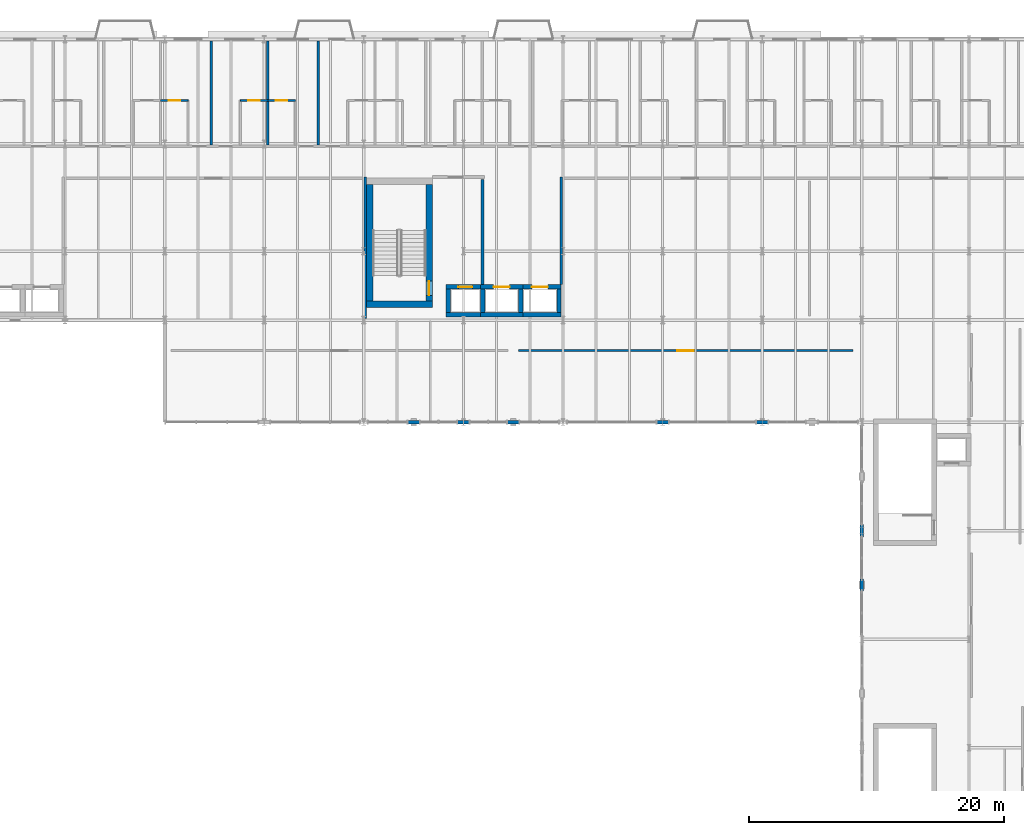
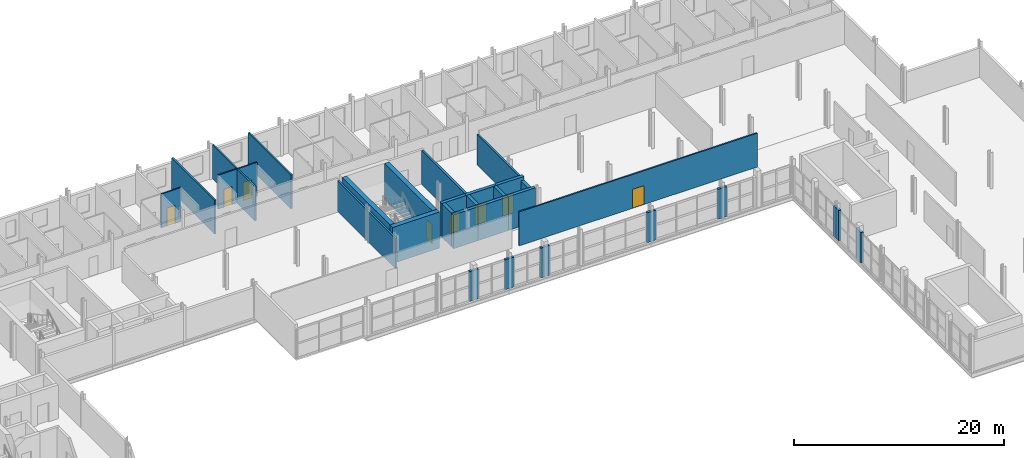
# One storey, part 34 of 45: 30 walls, 8 doors, 8 openings.
"""IFC4 building model written with IfcOpenShell, lengths in metres."""

from ifc_helpers import new_model, si_unit, direction, frame, frame_2d, origin, place, context, subcontext, project, spatial, rectangle, extrude, material, layer, layer_set, type_object, element, fill, save


model = new_model("IFC4")

# Units and contexts
model_context = context("Model", 3, precision=1e-05, world=origin(), true_north=direction((0.0, 1.0)))
body_context = subcontext(model_context, "Body", "Model", "MODEL_VIEW")
ifc_project = project(units=[si_unit("LENGTHUNIT", "METRE"), si_unit("AREAUNIT", "SQUARE_METRE"), si_unit("VOLUMEUNIT", "CUBIC_METRE"), si_unit("PLANEANGLEUNIT", "RADIAN"), si_unit("MASSUNIT", "GRAM", prefix="KILO")], contexts=[model_context])

# Site, building, storey
site_placement = place(None, origin())
site = spatial("IfcSite", under=ifc_project, at=site_placement, CompositionType="ELEMENT")
building_placement = place(site_placement, origin())
building = spatial("IfcBuilding", under=site, at=building_placement, Name="Sefraquen Railside Congress Hotel", CompositionType="ELEMENT")
storey_placement = place(building_placement, frame((0.0, 0.0, 20.39990234375)))
storey = spatial("IfcBuildingStorey", under=building, at=storey_placement, Name="L04", CompositionType="ELEMENT", Elevation=20.39990234375)

# Wall, opening, door
ifc_material_1 = material(Name="Concrete C50/60", Category="concrete")
ifc_layer_1 = layer(ifc_material_1, 0.35009765625)
ifc_layer_set_1 = layer_set([ifc_layer_1], Name="Concrete C50/60")
wall_type_1 = type_object("IfcWallType", Name="TW-CW-350", PredefinedType="SHEAR", material=ifc_layer_set_1)
wall_1_placement = place(storey_placement, frame((70.639892578125, 98.594970703125, 0.0), z_axis=(0.0, 0.0, 1.0), x_axis=(1.0, 0.0, 0.0)))
wall_1 = element("IfcWall", 1, at=wall_1_placement, inside=storey, type_object=wall_type_1, Name="Lift FL-03 shaft wall N L04", PredefinedType="SHEAR", context=body_context, shape_type="SweptSolid", body=[
    extrude(rectangle(XDim=2.690185546875, YDim=0.35009765625, at=frame_2d((1.34521484375, 0.0))), origin(), (0.0, 0.0, 1.0), 3.940185546875),
])
opening_1_placement = place(wall_1_placement, frame((0.969970703125, 0.0, 0.0)))
opening_1 = element("IfcOpeningElement", 2, at=opening_1_placement, cuts=wall_1, Name="Opening LD-01", PredefinedType="OPENING", context=body_context, shape_type="SweptSolid", body=[
    extrude(rectangle(XDim=1.10009765625, YDim=2.199951171875, at=frame_2d((0.550048828125, 1.10009765625))), frame((0.0, 0.18505859375, 0.0), z_axis=(0.0, -1.0, 0.0), x_axis=(1.0, 0.0, 0.0)), (0.0, 0.0, 1.0), 0.3701171875),
])
ifc_material_2 = material(Name="Brushed bronze stainless steel", Category="steel")
door_type_1 = type_object("IfcDoorType", Name="TD-LD-01", OperationType="NOTDEFINED", PredefinedType="DOOR", material=ifc_material_2)
door_1_placement = place(opening_1_placement, origin())
door_1 = element("IfcDoor", 3, at=door_1_placement, inside=storey, type_object=door_type_1, Name="Lift landing door FL-03 L04", OperationType="SLIDING_TO_LEFT", OverallHeight=2.199951171875, OverallWidth=1.10009765625, PredefinedType="DOOR", context=body_context, shape_type="SweptSolid", body=[
    extrude(rectangle(XDim=1.10009765625, YDim=2.199951171875, at=frame_2d((0.550048828125, 1.10009765625))), frame((0.0, 0.02490234375, 0.0), z_axis=(0.0, -1.0, 0.0), x_axis=(1.0, 0.0, 0.0)), (0.0, 0.0, 1.0), 0.050048828125),
])
fill(opening_1, door_1)

# Walls
wall_2_placement = place(storey_placement, frame((70.639892578125, 96.405029296875, 0.0), z_axis=(0.0, 0.0, 1.0), x_axis=(1.0, 0.0, 0.0)))
element("IfcWall", 4, at=wall_2_placement, inside=storey, type_object=wall_type_1, Name="Lift FL-03 shaft wall S L04", PredefinedType="SHEAR", context=body_context, shape_type="SweptSolid", body=[
    extrude(rectangle(XDim=2.690185546875, YDim=0.35009765625, at=frame_2d((1.34521484375, 0.0))), origin(), (0.0, 0.0, 1.0), 3.940185546875),
])
wall_3_placement = place(storey_placement, frame((70.81494140625, 96.580078125, 0.0), z_axis=(0.0, 0.0, 1.0), x_axis=(0.0, 1.0, 0.0)))
element("IfcWall", 5, at=wall_3_placement, inside=storey, type_object=wall_type_1, Name="Lift FL-03 shaft wall W L04", PredefinedType="SHEAR", context=body_context, shape_type="SweptSolid", body=[
    extrude(rectangle(XDim=1.83984375, YDim=0.35009765625, at=frame_2d((0.919921875, 0.0))), origin(), (0.0, 0.0, 1.0), 3.940185546875),
])

# Wall, opening, door
wall_4_placement = place(storey_placement, frame((73.330078125, 98.594970703125, 0.0), z_axis=(0.0, 0.0, 1.0), x_axis=(1.0, 0.0, 0.0)))
wall_4 = element("IfcWall", 6, at=wall_4_placement, inside=storey, type_object=wall_type_1, Name="Lift PL-05 shaft wall N L04", PredefinedType="SHEAR", context=body_context, shape_type="SweptSolid", body=[
    extrude(rectangle(XDim=3.33984375, YDim=0.35009765625, at=frame_2d((1.669921875, 0.0))), origin(), (0.0, 0.0, 1.0), 3.940185546875),
])
opening_2_placement = place(wall_4_placement, frame((1.044921875, 0.0, 0.0)))
opening_2 = element("IfcOpeningElement", 7, at=opening_2_placement, cuts=wall_4, Name="Opening LD-02", PredefinedType="OPENING", context=body_context, shape_type="SweptSolid", body=[
    extrude(rectangle(XDim=1.25, YDim=2.25, at=frame_2d((0.625, 1.125))), frame((0.0, 0.18505859375, 0.0), z_axis=(0.0, -1.0, 0.0), x_axis=(1.0, 0.0, 0.0)), (0.0, 0.0, 1.0), 0.3701171875),
])
ifc_material_3 = material(Name="Brushed stainless steel", Category="steel")
door_type_2 = type_object("IfcDoorType", Name="TD-LD-02", OperationType="NOTDEFINED", PredefinedType="DOOR", material=ifc_material_3)
door_2_placement = place(opening_2_placement, origin())
door_2 = element("IfcDoor", 8, at=door_2_placement, inside=storey, type_object=door_type_2, Name="Lift landing door PL-05 L04", OperationType="SLIDING_TO_LEFT", OverallHeight=2.25, OverallWidth=1.25, PredefinedType="DOOR", context=body_context, shape_type="SweptSolid", body=[
    extrude(rectangle(XDim=1.25, YDim=2.25, at=frame_2d((0.625, 1.125))), frame((0.0, 0.02490234375, 0.0), z_axis=(0.0, -1.0, 0.0), x_axis=(1.0, 0.0, 0.0)), (0.0, 0.0, 1.0), 0.050048828125),
])
fill(opening_2, door_2)

# Walls
wall_5_placement = place(storey_placement, frame((73.330078125, 96.405029296875, 0.0), z_axis=(0.0, 0.0, 1.0), x_axis=(1.0, 0.0, 0.0)))
element("IfcWall", 9, at=wall_5_placement, inside=storey, type_object=wall_type_1, Name="Lift PL-05 shaft wall S L04", PredefinedType="SHEAR", context=body_context, shape_type="SweptSolid", body=[
    extrude(rectangle(XDim=3.33984375, YDim=0.35009765625, at=frame_2d((1.669921875, 0.0))), origin(), (0.0, 0.0, 1.0), 3.940185546875),
])
for number, where, z_axis, x_axis, name in (
    (10, (73.5048828125, 96.580078125, 0.0), (0.0, 0.0, 1.0), (0.0, 1.0, 0.0), "Lift PL-05 shaft wall W L04"),
    (11, (76.4951171875, 96.580078125, 0.0), (0.0, 0.0, 1.0), (0.0, 1.0, 0.0), "Lift PL-05 shaft wall E L04"),
):
    element("IfcWall", number, at=place(storey_placement, frame(where, z_axis=z_axis, x_axis=x_axis)), inside=storey, type_object=wall_type_1, Name=name, PredefinedType="SHEAR", context=body_context, shape_type="SweptSolid", body=[
        extrude(rectangle(XDim=1.83984375, YDim=0.35009765625, at=frame_2d((0.919921875, 0.0))), origin(), (0.0, 0.0, 1.0), 3.940185546875),
    ])

# Wall, opening, door
wall_6_placement = place(storey_placement, frame((76.669921875, 98.594970703125, 0.0), z_axis=(0.0, 0.0, 1.0), x_axis=(1.0, 0.0, 0.0)))
wall_6 = element("IfcWall", 12, at=wall_6_placement, inside=storey, type_object=wall_type_1, Name="Lift PL-06 shaft wall N L04", PredefinedType="SHEAR", context=body_context, shape_type="SweptSolid", body=[
    extrude(rectangle(XDim=2.989990234375, YDim=0.35009765625, at=frame_2d((1.4951171875, 0.0))), origin(), (0.0, 0.0, 1.0), 3.940185546875),
])
opening_3_placement = place(wall_6_placement, frame((0.695068359375, 0.0, 0.0)))
opening_3 = element("IfcOpeningElement", 13, at=opening_3_placement, cuts=wall_6, Name="Opening LD-02", PredefinedType="OPENING", context=body_context, shape_type="SweptSolid", body=[
    extrude(rectangle(XDim=1.25, YDim=2.25, at=frame_2d((0.625, 1.125))), frame((0.0, 0.18505859375, 0.0), z_axis=(0.0, -1.0, 0.0), x_axis=(1.0, 0.0, 0.0)), (0.0, 0.0, 1.0), 0.3701171875),
])
door_3_placement = place(opening_3_placement, origin())
door_3 = element("IfcDoor", 14, at=door_3_placement, inside=storey, type_object=door_type_2, Name="Lift landing door PL-06 L04", OperationType="SLIDING_TO_LEFT", OverallHeight=2.25, OverallWidth=1.25, PredefinedType="DOOR", context=body_context, shape_type="SweptSolid", body=[
    extrude(rectangle(XDim=1.25, YDim=2.25, at=frame_2d((0.625, 1.125))), frame((0.0, 0.02490234375, 0.0), z_axis=(0.0, -1.0, 0.0), x_axis=(1.0, 0.0, 0.0)), (0.0, 0.0, 1.0), 0.050048828125),
])
fill(opening_3, door_3)

# Walls
wall_7_placement = place(storey_placement, frame((76.669921875, 96.405029296875, 0.0), z_axis=(0.0, 0.0, 1.0), x_axis=(1.0, 0.0, 0.0)))
element("IfcWall", 15, at=wall_7_placement, inside=storey, type_object=wall_type_1, Name="Lift PL-06 shaft wall S L04", PredefinedType="SHEAR", context=body_context, shape_type="SweptSolid", body=[
    extrude(rectangle(XDim=2.989990234375, YDim=0.35009765625, at=frame_2d((1.4951171875, 0.0))), origin(), (0.0, 0.0, 1.0), 3.940185546875),
])
wall_8_placement = place(storey_placement, frame((79.485107421875, 96.580078125, 0.0), z_axis=(0.0, 0.0, 1.0), x_axis=(0.0, 1.0, 0.0)))
element("IfcWall", 16, at=wall_8_placement, inside=storey, type_object=wall_type_1, Name="Lift PL-06 shaft wall E L04", PredefinedType="SHEAR", context=body_context, shape_type="SweptSolid", body=[
    extrude(rectangle(XDim=1.83984375, YDim=0.35009765625, at=frame_2d((0.919921875, 0.0))), origin(), (0.0, 0.0, 1.0), 3.530029296875),
])
ifc_layer_2 = layer(ifc_material_1, 0.5)
ifc_layer_set_2 = layer_set([ifc_layer_2], Name="Concrete C50/60")
wall_type_2 = type_object("IfcWallType", Name="TW-CW-500", PredefinedType="SHEAR", material=ifc_layer_set_2)
wall_9_placement = place(storey_placement, frame((64.39990234375, 97.25, 0.0), z_axis=(0.0, 0.0, 1.0), x_axis=(1.0, 0.0, 0.0)))
element("IfcWall", 17, at=wall_9_placement, inside=storey, type_object=wall_type_2, Name="Core shear wall ST-H03 S L04", PredefinedType="SHEAR", context=body_context, shape_type="SweptSolid", body=[
    extrude(rectangle(XDim=5.16015625, YDim=0.5, at=frame_2d((2.580078125, 0.0))), origin(), (0.0, 0.0, 1.0), 4.2001953125),
])
wall_10_placement = place(storey_placement, frame((64.64990234375, 97.5, 0.0), z_axis=(0.0, 0.0, 1.0), x_axis=(0.0, 1.0, 0.0)))
element("IfcWall", 18, at=wall_10_placement, inside=storey, type_object=wall_type_2, Name="Core shear wall ST-H03 W L04", PredefinedType="SHEAR", context=body_context, shape_type="SweptSolid", body=[
    extrude(rectangle(XDim=9.112060546875, YDim=0.5, at=frame_2d((4.55615234375, 0.0))), origin(), (0.0, 0.0, 1.0), 4.2001953125),
])

# Wall, opening, door
wall_11_placement = place(storey_placement, frame((69.31005859375, 97.5, 0.0), z_axis=(0.0, 0.0, 1.0), x_axis=(0.0, 1.0, 0.0)))
wall_11 = element("IfcWall", 19, at=wall_11_placement, inside=storey, type_object=wall_type_2, Name="Core shear wall ST-H03 E L04", PredefinedType="SHEAR", context=body_context, shape_type="SweptSolid", body=[
    extrude(rectangle(XDim=9.112060546875, YDim=0.5, at=frame_2d((4.55615234375, 0.0))), origin(), (0.0, 0.0, 1.0), 4.2001953125),
])
opening_4_placement = place(wall_11_placement, frame((0.43994140625, 0.0, 0.0)))
opening_4 = element("IfcOpeningElement", 20, at=opening_4_placement, cuts=wall_11, Name="Opening FD-04", PredefinedType="OPENING", context=body_context, shape_type="SweptSolid", body=[
    extrude(rectangle(XDim=1.10009765625, YDim=2.199951171875, at=frame_2d((0.550048828125, 1.10009765625))), frame((0.0, 0.260009765625, 0.0), z_axis=(0.0, -1.0, 0.0), x_axis=(1.0, 0.0, 0.0)), (0.0, 0.0, 1.0), 0.52001953125),
])
ifc_material_4 = material(Name="Fire-rated steel", Category="steel")
door_type_3 = type_object("IfcDoorType", Name="TD-FD-04", OperationType="NOTDEFINED", PredefinedType="DOOR", material=ifc_material_4)
door_4_placement = place(opening_4_placement, origin())
door_4 = element("IfcDoor", 21, at=door_4_placement, inside=storey, type_object=door_type_3, Name="Pressurized stair ST-H03 fire door L04", OperationType="SINGLE_SWING_RIGHT", OverallHeight=2.199951171875, OverallWidth=1.10009765625, PredefinedType="DOOR", context=body_context, shape_type="SweptSolid", body=[
    extrude(rectangle(XDim=1.10009765625, YDim=2.199951171875, at=frame_2d((0.550048828125, 1.10009765625))), frame((0.0, 0.02490234375, 0.0), z_axis=(0.0, -1.0, 0.0), x_axis=(1.0, 0.0, 0.0)), (0.0, 0.0, 1.0), 0.050048828125),
])
fill(opening_4, door_4)

# Walls
ifc_material_5 = material(Name="Ochre Rabat calcarenite limestone and Concrete C40/50 backing", Category="masonry")
ifc_layer_3 = layer(ifc_material_5, 0.280029296875)
ifc_layer_set_3 = layer_set([ifc_layer_3], Name="Ochre Rabat calcarenite limestone and Concrete C40/50 backing")
wall_type_3 = type_object("IfcWallType", Name="TW-EW-280", PredefinedType="STANDARD", material=ifc_layer_set_3)
for number, where, z_axis, x_axis, name in (
    (22, (67.6201171875, 88.0, 0.0), (0.0, 0.0, 1.0), (1.0, 0.0, 0.0), "Meeting Wing L04 courtyard north curtain wall 2 column pier closure 1"),
    (23, (71.52001953125, 88.0, 0.0), (0.0, 0.0, 1.0), (1.0, 0.0, 0.0), "Meeting Wing L04 courtyard north curtain wall 2 column pier closure 2"),
    (24, (75.419921875, 88.0, 0.0), (0.0, 0.0, 1.0), (1.0, 0.0, 0.0), "Meeting Wing L04 courtyard north curtain wall 2 column pier closure 3"),
    (25, (87.1201171875, 88.0, 0.0), (0.0, 0.0, 1.0), (1.0, 0.0, 0.0), "Meeting Wing L04 courtyard north curtain wall 3 column pier closure 1"),
    (26, (94.919921875, 88.0, 0.0), (0.0, 0.0, 1.0), (1.0, 0.0, 0.0), "Meeting Wing L04 courtyard north curtain wall 3 column pier closure 2"),
):
    element("IfcWall", number, at=place(storey_placement, frame(where, z_axis=z_axis, x_axis=x_axis)), inside=storey, type_object=wall_type_3, Name=name, PredefinedType="STANDARD", context=body_context, shape_type="SweptSolid", body=[
        extrude(rectangle(XDim=0.9599609375, YDim=0.260009765625, at=frame_2d((0.47998046875, 0.0))), origin(), (0.0, 0.0, 1.0), 3.47998046875),
    ])
for number, where, z_axis, x_axis, name in (
    (27, (103.199951171875, 74.77001953125, 0.0), (0.0, 0.0, 1.0), (0.0, 1.0, 0.0), "Meeting Wing L04 courtyard east curtain wall column pier closure 1"),
    (28, (103.199951171875, 79.02001953125, 0.0), (0.0, 0.0, 1.0), (0.0, 1.0, 0.0), "Meeting Wing L04 courtyard east curtain wall column pier closure 2"),
):
    element("IfcWall", number, at=place(storey_placement, frame(where, z_axis=z_axis, x_axis=x_axis)), inside=storey, type_object=wall_type_3, Name=name, PredefinedType="STANDARD", context=body_context, shape_type="SweptSolid", body=[
        extrude(rectangle(XDim=0.9599609375, YDim=0.260009765625, at=frame_2d((0.47998046875, 0.0))), origin(), (0.0, 0.0, 1.0), 3.530029296875),
    ])
ifc_material_6 = material(Name="Concrete C40/50", Category="concrete")
ifc_layer_4 = layer(ifc_material_6, 0.239990234375)
ifc_layer_set_4 = layer_set([ifc_layer_4], Name="Concrete C40/50")
wall_type_4 = type_object("IfcWallType", Name="TW-FW-240", PredefinedType="STANDARD", material=ifc_layer_set_4)
wall_12_placement = place(storey_placement, frame((73.47998046875, 98.780029296875, 0.0), z_axis=(0.0, 0.0, 1.0), x_axis=(0.0, 1.0, 0.0)))
element("IfcWall", 29, at=wall_12_placement, inside=storey, type_object=wall_type_4, Name="Firefighting Lift Lobby FFL-03 east fire wall L04", PredefinedType="STANDARD", context=body_context, shape_type="SweptSolid", body=[
    extrude(rectangle(XDim=8.239990234375, YDim=0.239990234375, at=frame_2d((4.1201171875, 0.0))), origin(), (0.0, 0.0, 1.0), 3.940185546875),
])

# Wall, opening, door
ifc_material_7 = material(Name="Moisture-resistant gypsum board", Category="gypsum")
ifc_layer_5 = layer(ifc_material_7, 0.139892578125)
ifc_layer_set_5 = layer_set([ifc_layer_5], Name="Moisture-resistant gypsum board")
wall_type_5 = type_object("IfcWallType", Name="TW-PW-140", PredefinedType="PARTITIONING", material=ifc_layer_set_5)
wall_13_placement = place(storey_placement, frame((48.280029296875, 113.199951171875, 0.0), z_axis=(0.0, 0.0, 1.0), x_axis=(1.0, 0.0, 0.0)))
wall_13 = element("IfcWall", 30, at=wall_13_placement, inside=storey, type_object=wall_type_5, Name="En-suite bathroom north wall RM-007", PredefinedType="PARTITIONING", context=body_context, shape_type="SweptSolid", body=[
    extrude(rectangle(XDim=2.14990234375, YDim=0.139892578125, at=frame_2d((1.074951171875, 0.0))), origin(), (0.0, 0.0, 1.0), 3.940185546875),
])
opening_5_placement = place(wall_13_placement, frame((0.625, 0.0, 0.0)))
opening_5 = element("IfcOpeningElement", 31, at=opening_5_placement, cuts=wall_13, Name="Opening ID-02", PredefinedType="OPENING", context=body_context, shape_type="SweptSolid", body=[
    extrude(rectangle(XDim=0.89990234375, YDim=2.10009765625, at=frame_2d((0.449951171875, 1.050048828125))), frame((0.0, 0.079833984375, 0.0), z_axis=(0.0, -1.0, 0.0), x_axis=(1.0, 0.0, 0.0)), (0.0, 0.0, 1.0), 0.159912109375),
])
ifc_material_8 = material(Name="Lacquered cedar joinery", Category="wood")
door_type_4 = type_object("IfcDoorType", Name="TD-ID-02", OperationType="NOTDEFINED", PredefinedType="DOOR", material=ifc_material_8)
door_5_placement = place(opening_5_placement, origin())
door_5 = element("IfcDoor", 32, at=door_5_placement, inside=storey, type_object=door_type_4, Name="En-suite bathroom door RM-007", OperationType="SINGLE_SWING_RIGHT", OverallHeight=2.10009765625, OverallWidth=0.89990234375, PredefinedType="DOOR", context=body_context, shape_type="SweptSolid", body=[
    extrude(rectangle(XDim=0.89990234375, YDim=2.10009765625, at=frame_2d((0.449951171875, 1.050048828125))), frame((0.0, 0.02490234375, 0.0), z_axis=(0.0, -1.0, 0.0), x_axis=(1.0, 0.0, 0.0)), (0.0, 0.0, 1.0), 0.050048828125),
])
fill(opening_5, door_5)

wall_14_placement = place(storey_placement, frame((54.530029296875, 113.199951171875, 0.0), z_axis=(0.0, 0.0, 1.0), x_axis=(1.0, 0.0, 0.0)))
wall_14 = element("IfcWall", 33, at=wall_14_placement, inside=storey, type_object=wall_type_5, Name="En-suite bathroom north wall RM-008", PredefinedType="PARTITIONING", context=body_context, shape_type="SweptSolid", body=[
    extrude(rectangle(XDim=2.14990234375, YDim=0.139892578125, at=frame_2d((1.074951171875, 0.0))), origin(), (0.0, 0.0, 1.0), 3.940185546875),
])
opening_6_placement = place(wall_14_placement, frame((0.625, 0.0, 0.0)))
opening_6 = element("IfcOpeningElement", 34, at=opening_6_placement, cuts=wall_14, Name="Opening ID-02", PredefinedType="OPENING", context=body_context, shape_type="SweptSolid", body=[
    extrude(rectangle(XDim=0.89990234375, YDim=2.10009765625, at=frame_2d((0.449951171875, 1.050048828125))), frame((0.0, 0.079833984375, 0.0), z_axis=(0.0, -1.0, 0.0), x_axis=(1.0, 0.0, 0.0)), (0.0, 0.0, 1.0), 0.159912109375),
])
door_6_placement = place(opening_6_placement, origin())
door_6 = element("IfcDoor", 35, at=door_6_placement, inside=storey, type_object=door_type_4, Name="En-suite bathroom door RM-008", OperationType="SINGLE_SWING_RIGHT", OverallHeight=2.10009765625, OverallWidth=0.89990234375, PredefinedType="DOOR", context=body_context, shape_type="SweptSolid", body=[
    extrude(rectangle(XDim=0.89990234375, YDim=2.10009765625, at=frame_2d((0.449951171875, 1.050048828125))), frame((0.0, 0.02490234375, 0.0), z_axis=(0.0, -1.0, 0.0), x_axis=(1.0, 0.0, 0.0)), (0.0, 0.0, 1.0), 0.050048828125),
])
fill(opening_6, door_6)

wall_15_placement = place(storey_placement, frame((56.679931640625, 113.199951171875, 0.0), z_axis=(0.0, 0.0, 1.0), x_axis=(1.0, 0.0, 0.0)))
wall_15 = element("IfcWall", 36, at=wall_15_placement, inside=storey, type_object=wall_type_5, Name="En-suite bathroom north wall RM-009", PredefinedType="PARTITIONING", context=body_context, shape_type="SweptSolid", body=[
    extrude(rectangle(XDim=2.150146484375, YDim=0.139892578125, at=frame_2d((1.0751953125, 0.0))), origin(), (0.0, 0.0, 1.0), 3.940185546875),
])
opening_7_placement = place(wall_15_placement, frame((0.625, 0.0, 0.0)))
opening_7 = element("IfcOpeningElement", 37, at=opening_7_placement, cuts=wall_15, Name="Opening ID-02", PredefinedType="OPENING", context=body_context, shape_type="SweptSolid", body=[
    extrude(rectangle(XDim=0.89990234375, YDim=2.10009765625, at=frame_2d((0.449951171875, 1.050048828125))), frame((0.0, 0.079833984375, 0.0), z_axis=(0.0, -1.0, 0.0), x_axis=(1.0, 0.0, 0.0)), (0.0, 0.0, 1.0), 0.159912109375),
])
door_7_placement = place(opening_7_placement, origin())
door_7 = element("IfcDoor", 38, at=door_7_placement, inside=storey, type_object=door_type_4, Name="En-suite bathroom door RM-009", OperationType="SINGLE_SWING_RIGHT", OverallHeight=2.10009765625, OverallWidth=0.89990234375, PredefinedType="DOOR", context=body_context, shape_type="SweptSolid", body=[
    extrude(rectangle(XDim=0.89990234375, YDim=2.10009765625, at=frame_2d((0.449951171875, 1.050048828125))), frame((0.0, 0.02490234375, 0.0), z_axis=(0.0, -1.0, 0.0), x_axis=(1.0, 0.0, 0.0)), (0.0, 0.0, 1.0), 0.050048828125),
])
fill(opening_7, door_7)

ifc_layer_6 = layer(ifc_material_7, 0.159912109375)
ifc_layer_set_6 = layer_set([ifc_layer_6], Name="Moisture-resistant gypsum board")
wall_type_6 = type_object("IfcWallType", Name="TW-PW-160", PredefinedType="PARTITIONING", material=ifc_layer_set_6)
wall_16_placement = place(storey_placement, frame((76.300048828125, 93.60009765625, 0.0), z_axis=(0.0, 0.0, 1.0), x_axis=(1.0, 0.0, 0.0)))
wall_16 = element("IfcWall", 39, at=wall_16_placement, inside=storey, type_object=wall_type_6, Name="Workshop Suite 04 enclosure wall", PredefinedType="PARTITIONING", context=body_context, shape_type="SweptSolid", body=[
    extrude(rectangle(XDim=26.199951171875, YDim=0.159912109375, at=frame_2d((13.10009765625, 0.0))), origin(), (0.0, 0.0, 1.0), 3.940185546875),
])
opening_8_placement = place(wall_16_placement, frame((12.449951171875, 0.0, 0.0)))
opening_8 = element("IfcOpeningElement", 40, at=opening_8_placement, cuts=wall_16, Name="Opening MD-02", PredefinedType="OPENING", context=body_context, shape_type="SweptSolid", body=[
    extrude(rectangle(XDim=1.300048828125, YDim=2.199951171875, at=frame_2d((0.64990234375, 1.10009765625))), frame((0.0, 0.08984375, 0.0), z_axis=(0.0, -1.0, 0.0), x_axis=(1.0, 0.0, 0.0)), (0.0, 0.0, 1.0), 0.179931640625),
])
ifc_material_9 = material(Name="Acoustic cedar veneer", Category="wood")
door_type_5 = type_object("IfcDoorType", Name="TD-MD-02", OperationType="NOTDEFINED", PredefinedType="DOOR", material=ifc_material_9)
door_8_placement = place(opening_8_placement, origin())
door_8 = element("IfcDoor", 41, at=door_8_placement, inside=storey, type_object=door_type_5, Name="Workshop Suite 04 entrance door", OperationType="SINGLE_SWING_RIGHT", OverallHeight=2.199951171875, OverallWidth=1.300048828125, PredefinedType="DOOR", context=body_context, shape_type="SweptSolid", body=[
    extrude(rectangle(XDim=1.300048828125, YDim=2.199951171875, at=frame_2d((0.64990234375, 1.10009765625))), frame((0.0, 0.02490234375, 0.0), z_axis=(0.0, -1.0, 0.0), x_axis=(1.0, 0.0, 0.0)), (0.0, 0.0, 1.0), 0.050048828125),
])
fill(opening_8, door_8)

# Walls
ifc_material_10 = material(Name="Acoustic gypsum board on metal stud", Category="gypsum")
ifc_layer_7 = layer(ifc_material_10, 0.179931640625)
ifc_layer_set_7 = layer_set([ifc_layer_7], Name="Acoustic gypsum board on metal stud")
wall_type_7 = type_object("IfcWallType", Name="TW-PW-180", PredefinedType="PARTITIONING", material=ifc_layer_set_7)
for number, where, z_axis, x_axis, name in (
    (42, (52.239990234375, 109.699951171875, 0.0), (0.0, 0.0, 1.0), (0.0, 1.0, 0.0), "Guest room demising wall RM-007"),
    (43, (56.679931640625, 109.699951171875, 0.0), (0.0, 0.0, 1.0), (0.0, 1.0, 0.0), "Guest room demising wall RM-008"),
    (44, (60.639892578125, 109.699951171875, 0.0), (0.0, 0.0, 1.0), (0.0, 1.0, 0.0), "Guest room demising wall RM-009"),
):
    element("IfcWall", number, at=place(storey_placement, frame(where, z_axis=z_axis, x_axis=x_axis)), inside=storey, type_object=wall_type_7, Name=name, PredefinedType="PARTITIONING", context=body_context, shape_type="SweptSolid", body=[
        extrude(rectangle(XDim=8.150146484375, YDim=0.179931640625, at=frame_2d((4.0751953125, 0.0))), origin(), (0.0, 0.0, 1.0), 3.940185546875),
    ])
ifc_layer_8 = layer(ifc_material_10, 0.199951171875)
ifc_layer_set_8 = layer_set([ifc_layer_8], Name="Acoustic gypsum board on metal stud")
wall_type_8 = type_object("IfcWallType", Name="TW-PW-200", PredefinedType="PARTITIONING", material=ifc_layer_set_8)
wall_17_placement = place(storey_placement, frame((64.300048828125, 96.139892578125, 0.0), z_axis=(0.0, 0.0, 1.0), x_axis=(0.0, 1.0, 0.0)))
element("IfcWall", 45, at=wall_17_placement, inside=storey, type_object=wall_type_8, Name="Hotel L04 south-mid east end fire-rated partition", PredefinedType="PARTITIONING", context=body_context, shape_type="SweptSolid", body=[
    extrude(rectangle(XDim=11.080078125, YDim=0.199951171875, at=frame_2d((5.5400390625, 0.0))), origin(), (0.0, 0.0, 1.0), 3.530029296875),
])
wall_18_placement = place(storey_placement, frame((79.659912109375, 98.77001953125, 0.0), z_axis=(0.0, 0.0, 1.0), x_axis=(0.0, 1.0, 0.0)))
element("IfcWall", 46, at=wall_18_placement, inside=storey, type_object=wall_type_8, Name="Hotel L04 south-east west end fire-rated partition", PredefinedType="PARTITIONING", context=body_context, shape_type="SweptSolid", body=[
    extrude(rectangle(XDim=8.449951171875, YDim=0.199951171875, at=frame_2d((4.22509765625, 0.0))), origin(), (0.0, 0.0, 1.0), 3.530029296875),
])

save(model, "model.ifc")
